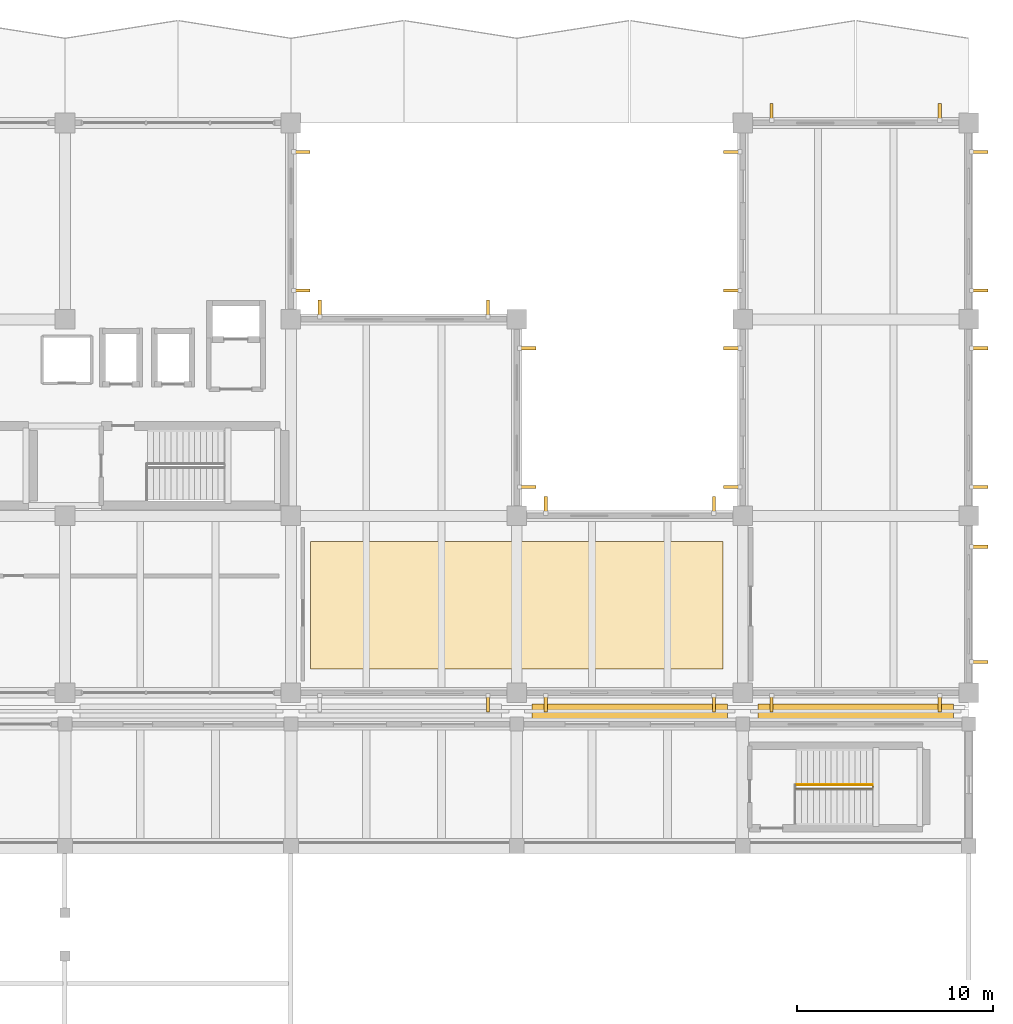
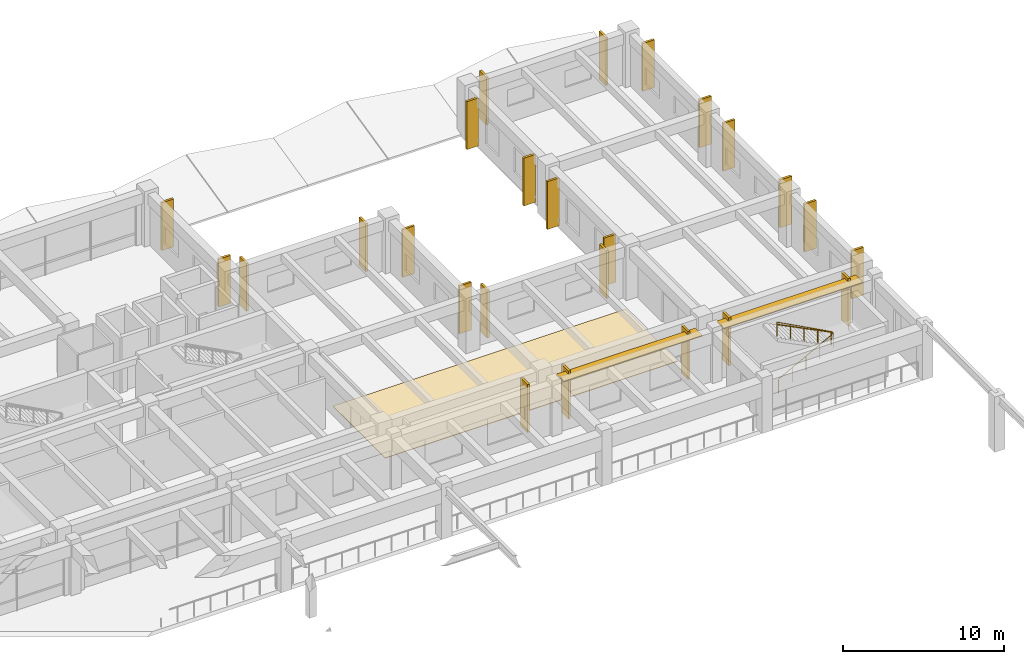
# One storey, part 97 of 98: 27 shading devices, 2 railings, 1 covering.
"""IFC4 building model written with IfcOpenShell, lengths in metres."""

from ifc_helpers import new_model, si_unit, direction, frame, origin, origin_2d, place, context, subcontext, project, spatial, polyline, rectangle, circle, outline, extrude, material, layer, layer_set, type_object, element, save


model = new_model("IFC4")

# Units and contexts
model_context = context("Model", 3, precision=1e-05, world=origin(), true_north=direction((0.0, 1.0)))
body_context = subcontext(model_context, "Body", "Model", "MODEL_VIEW")
ifc_project = project(units=[si_unit("LENGTHUNIT", "METRE"), si_unit("AREAUNIT", "SQUARE_METRE"), si_unit("VOLUMEUNIT", "CUBIC_METRE"), si_unit("PLANEANGLEUNIT", "RADIAN"), si_unit("MASSUNIT", "GRAM", prefix="KILO")], contexts=[model_context])

# Site, building, storey
site_placement = place(None, origin())
site = spatial("IfcSite", under=ifc_project, at=site_placement, CompositionType="ELEMENT")
building_placement = place(site_placement, origin())
building = spatial("IfcBuilding", under=site, at=building_placement, Name="Ologun Quay Terminus", CompositionType="ELEMENT")
storey_placement = place(building_placement, frame((0.0, 0.0, 4.199951171875)))
storey = spatial("IfcBuildingStorey", under=building, at=storey_placement, Name="L01", CompositionType="ELEMENT", Elevation=4.199951171875)

# Covering
ifc_material_1 = material(Name="Steel S355", Category="steel")
ifc_layer_1 = layer(ifc_material_1, 0.044921875)
ifc_layer_set_1 = layer_set([ifc_layer_1], Name="Steel S355")
covering_type = type_object("IfcCoveringType", Name="Anti-Static Raised Access Control Floor 45", PredefinedType="FLOORING", material=ifc_layer_set_1)
covering_placement = place(storey_placement, origin())
element("IfcCovering", 1, at=covering_placement, inside=storey, type_object=covering_type, Name="CV-FL3 Interior Flooring 6", PredefinedType="FLOORING", context=body_context, shape_type="SweptSolid", body=[
    extrude(outline(polyline([(150.5, 87.0), (171.5, 87.0), (171.5, 93.5), (150.5, 93.5), (150.5, 87.0)])), origin(), (0.0, 0.0, 1.0), 0.045166015625),
])

# Shading devices
ifc_material_2 = material(Name="Aluminium 6063-T6", Category="aluminium")
ifc_layer_2 = layer(ifc_material_2, 0.080078125)
ifc_layer_set_2 = layer_set([ifc_layer_2], Name="Aluminium 6063-T6")
shading_device_type_1 = type_object("IfcShadingDeviceType", Name="Horizontal Extruded Aluminium Sun Louvre 900", PredefinedType="JALOUSIE", material=ifc_layer_set_2)
for number, where, z_axis, x_axis, name in (
    (2, (166.75, 84.780029296875, 3.4599609375), (0.0, 0.0, 1.0), (1.0, 0.0, 0.0), "SD-01 Sun-Hood WEW-NGW-L01-15"),
    (3, (178.25, 84.780029296875, 3.4599609375), (0.0, 0.0, 1.0), (1.0, 0.0, 0.0), "SD-01 Sun-Hood WEW-NGW-L01-16"),
):
    element("IfcShadingDevice", number, at=place(storey_placement, frame(where, z_axis=z_axis, x_axis=x_axis)), inside=storey, type_object=shading_device_type_1, Name=name, PredefinedType="JALOUSIE", context=body_context, shape_type="SweptSolid", body=[
        extrude(rectangle(XDim=9.9599609375, YDim=0.89990234375, at=origin_2d()), origin(), (0.0, 0.0, 1.0), 0.080078125),
    ])
ifc_material_3 = material(Name="Concrete C40/50", Category="concrete")
ifc_layer_3 = layer(ifc_material_3, 0.159912109375)
ifc_layer_set_3 = layer_set([ifc_layer_3], Name="Concrete C40/50")
shading_device_type_2 = type_object("IfcShadingDeviceType", Name="Operations Angled Precast Solar Fin 850x160", PredefinedType="USERDEFINED", material=ifc_layer_set_3)
for number, where, z_axis, x_axis, name in (
    (4, (159.530029296875, 85.2451171875, 0.150146484375), (0.0, 0.0, 1.0), (1.0, 0.0, 0.0), "SD-05 Vertical Solar Fin WEW-EW-L01-4-2"),
    (5, (162.469970703125, 85.2451171875, 0.150146484375), (0.0, 0.0, 1.0), (1.0, 0.0, 0.0), "SD-05 Vertical Solar Fin WEW-EW-L01-5-1"),
    (6, (171.030029296875, 85.2451171875, 0.150146484375), (0.0, 0.0, 1.0), (1.0, 0.0, 0.0), "SD-05 Vertical Solar Fin WEW-EW-L01-5-2"),
    (7, (173.969970703125, 85.2451171875, 0.150146484375), (0.0, 0.0, 1.0), (1.0, 0.0, 0.0), "SD-05 Vertical Solar Fin WEW-EW-L01-6-1"),
    (8, (182.530029296875, 85.2451171875, 0.150146484375), (0.0, 0.0, 1.0), (1.0, 0.0, 0.0), "SD-05 Vertical Solar Fin WEW-EW-L01-6-2"),
):
    element("IfcShadingDevice", number, at=place(storey_placement, frame(where, z_axis=z_axis, x_axis=x_axis)), inside=storey, type_object=shading_device_type_2, Name=name, ObjectType="SOLAR FIN", PredefinedType="USERDEFINED", context=body_context, shape_type="SweptSolid", body=[
        extrude(rectangle(XDim=0.159912109375, YDim=0.85009765625, at=origin_2d()), origin(), (0.0, 0.0, 1.0), 3.6298828125),
    ])
for number, where, z_axis, x_axis, name in (
    (9, (184.554931640625, 87.3701171875, 0.150146484375), (0.0, 0.0, 1.0), (1.0, 0.0, 0.0), "SD-05 Vertical Solar Fin WEW-EW-L01-7-1"),
    (10, (184.554931640625, 93.22998046875, 0.150146484375), (0.0, 0.0, 1.0), (1.0, 0.0, 0.0), "SD-05 Vertical Solar Fin WEW-EW-L01-7-2"),
    (11, (184.554931640625, 96.27001953125, 0.150146484375), (0.0, 0.0, 1.0), (1.0, 0.0, 0.0), "SD-05 Vertical Solar Fin WEW-EW-L01-8-1"),
    (12, (184.554931640625, 103.330078125, 0.150146484375), (0.0, 0.0, 1.0), (1.0, 0.0, 0.0), "SD-05 Vertical Solar Fin WEW-EW-L01-8-2"),
    (13, (184.554931640625, 106.27001953125, 0.150146484375), (0.0, 0.0, 1.0), (1.0, 0.0, 0.0), "SD-05 Vertical Solar Fin WEW-EW-L01-9-1"),
    (14, (184.554931640625, 113.330078125, 0.150146484375), (0.0, 0.0, 1.0), (1.0, 0.0, 0.0), "SD-05 Vertical Solar Fin WEW-EW-L01-9-2"),
):
    element("IfcShadingDevice", number, at=place(storey_placement, frame(where, z_axis=z_axis, x_axis=x_axis)), inside=storey, type_object=shading_device_type_2, Name=name, ObjectType="SOLAR FIN", PredefinedType="USERDEFINED", context=body_context, shape_type="SweptSolid", body=[
        extrude(rectangle(XDim=0.85009765625, YDim=0.159912109375, at=origin_2d()), origin(), (0.0, 0.0, 1.0), 3.6298828125),
    ])
for number, where, z_axis, x_axis, name in (
    (15, (173.969970703125, 115.35498046875, 0.150146484375), (0.0, 0.0, 1.0), (1.0, 0.0, 0.0), "SD-05 Vertical Solar Fin WEW-EW-L01-10-1"),
    (16, (182.530029296875, 115.35498046875, 0.150146484375), (0.0, 0.0, 1.0), (1.0, 0.0, 0.0), "SD-05 Vertical Solar Fin WEW-EW-L01-10-2"),
):
    element("IfcShadingDevice", number, at=place(storey_placement, frame(where, z_axis=z_axis, x_axis=x_axis)), inside=storey, type_object=shading_device_type_2, Name=name, ObjectType="SOLAR FIN", PredefinedType="USERDEFINED", context=body_context, shape_type="SweptSolid", body=[
        extrude(rectangle(XDim=0.159912109375, YDim=0.85009765625, at=origin_2d()), origin(), (0.0, 0.0, 1.0), 3.6298828125),
    ])
for number, where, z_axis, x_axis, name in (
    (17, (171.945068359375, 96.27001953125, 0.150146484375), (0.0, 0.0, 1.0), (1.0, 0.0, 0.0), "SD-05 Vertical Solar Fin WEW-EW-L01-11-1"),
    (18, (171.945068359375, 103.330078125, 0.150146484375), (0.0, 0.0, 1.0), (1.0, 0.0, 0.0), "SD-05 Vertical Solar Fin WEW-EW-L01-11-2"),
    (19, (171.945068359375, 106.27001953125, 0.150146484375), (0.0, 0.0, 1.0), (1.0, 0.0, 0.0), "SD-05 Vertical Solar Fin WEW-EW-L01-12-1"),
    (20, (171.945068359375, 113.330078125, 0.150146484375), (0.0, 0.0, 1.0), (1.0, 0.0, 0.0), "SD-05 Vertical Solar Fin WEW-EW-L01-12-2"),
):
    element("IfcShadingDevice", number, at=place(storey_placement, frame(where, z_axis=z_axis, x_axis=x_axis)), inside=storey, type_object=shading_device_type_2, Name=name, ObjectType="SOLAR FIN", PredefinedType="USERDEFINED", context=body_context, shape_type="SweptSolid", body=[
        extrude(rectangle(XDim=0.85009765625, YDim=0.159912109375, at=origin_2d()), origin(), (0.0, 0.0, 1.0), 3.6298828125),
    ])
for number, where, z_axis, x_axis, name in (
    (21, (162.469970703125, 95.35498046875, 0.150146484375), (0.0, 0.0, 1.0), (1.0, 0.0, 0.0), "SD-05 Vertical Solar Fin WEW-EW-L01-13-1"),
    (22, (171.030029296875, 95.35498046875, 0.150146484375), (0.0, 0.0, 1.0), (1.0, 0.0, 0.0), "SD-05 Vertical Solar Fin WEW-EW-L01-13-2"),
):
    element("IfcShadingDevice", number, at=place(storey_placement, frame(where, z_axis=z_axis, x_axis=x_axis)), inside=storey, type_object=shading_device_type_2, Name=name, ObjectType="SOLAR FIN", PredefinedType="USERDEFINED", context=body_context, shape_type="SweptSolid", body=[
        extrude(rectangle(XDim=0.159912109375, YDim=0.85009765625, at=origin_2d()), origin(), (0.0, 0.0, 1.0), 3.6298828125),
    ])
for number, where, z_axis, x_axis, name in (
    (23, (161.554931640625, 96.27001953125, 0.150146484375), (0.0, 0.0, 1.0), (1.0, 0.0, 0.0), "SD-05 Vertical Solar Fin WEW-EW-L01-14-1"),
    (24, (161.554931640625, 103.330078125, 0.150146484375), (0.0, 0.0, 1.0), (1.0, 0.0, 0.0), "SD-05 Vertical Solar Fin WEW-EW-L01-14-2"),
):
    element("IfcShadingDevice", number, at=place(storey_placement, frame(where, z_axis=z_axis, x_axis=x_axis)), inside=storey, type_object=shading_device_type_2, Name=name, ObjectType="SOLAR FIN", PredefinedType="USERDEFINED", context=body_context, shape_type="SweptSolid", body=[
        extrude(rectangle(XDim=0.85009765625, YDim=0.159912109375, at=origin_2d()), origin(), (0.0, 0.0, 1.0), 3.6298828125),
    ])
for number, where, z_axis, x_axis, name in (
    (25, (150.969970703125, 105.35498046875, 0.150146484375), (0.0, 0.0, 1.0), (1.0, 0.0, 0.0), "SD-05 Vertical Solar Fin WEW-EW-L01-15-1"),
    (26, (159.530029296875, 105.35498046875, 0.150146484375), (0.0, 0.0, 1.0), (1.0, 0.0, 0.0), "SD-05 Vertical Solar Fin WEW-EW-L01-15-2"),
):
    element("IfcShadingDevice", number, at=place(storey_placement, frame(where, z_axis=z_axis, x_axis=x_axis)), inside=storey, type_object=shading_device_type_2, Name=name, ObjectType="SOLAR FIN", PredefinedType="USERDEFINED", context=body_context, shape_type="SweptSolid", body=[
        extrude(rectangle(XDim=0.159912109375, YDim=0.85009765625, at=origin_2d()), origin(), (0.0, 0.0, 1.0), 3.6298828125),
    ])
for number, where, z_axis, x_axis, name in (
    (27, (150.054931640625, 106.27001953125, 0.150146484375), (0.0, 0.0, 1.0), (1.0, 0.0, 0.0), "SD-05 Vertical Solar Fin WEW-EW-L01-16-1"),
    (28, (150.054931640625, 113.330078125, 0.150146484375), (0.0, 0.0, 1.0), (1.0, 0.0, 0.0), "SD-05 Vertical Solar Fin WEW-EW-L01-16-2"),
):
    element("IfcShadingDevice", number, at=place(storey_placement, frame(where, z_axis=z_axis, x_axis=x_axis)), inside=storey, type_object=shading_device_type_2, Name=name, ObjectType="SOLAR FIN", PredefinedType="USERDEFINED", context=body_context, shape_type="SweptSolid", body=[
        extrude(rectangle(XDim=0.85009765625, YDim=0.159912109375, at=origin_2d()), origin(), (0.0, 0.0, 1.0), 3.6298828125),
    ])

# Railings
ifc_material_4 = material(Name="Steel S355", Category="steel")
railing_type_1 = type_object("IfcRailingType", Name="Stair & Landing Steel Guardrail 1100", PredefinedType="GUARDRAIL", material=ifc_material_4)
railing_1_placement = place(storey_placement, frame((175.199951171875, 80.89990234375, 0.0)))
element("IfcRailing", 29, at=railing_1_placement, inside=storey, type_object=railing_type_1, Name="GR-ST Stair Inner Well Guard ST-NG2 L01", PredefinedType="GUARDRAIL", context=body_context, shape_type="SweptSolid", body=[
    extrude(circle(Radius=0.02392578125, at=origin_2d()), frame((0.0, 0.0, 1.076171875), z_axis=(0.881967403671, 0.0, 0.471310406062), x_axis=(0.0, 1.0, 0.0)), (0.0, 0.0, 1.0), 4.455810546875),
    extrude(circle(Radius=0.02392578125, at=origin_2d()), frame((3.929931640625, 0.0, 3.17626953125), z_axis=(0.0, 1.0, 0.0), x_axis=(-1.0, 0.0, 0.0)), (0.0, 0.0, 1.0), 0.2001953125),
    extrude(circle(Radius=0.02392578125, at=origin_2d()), frame((3.929931640625, 0.2001953125, 3.17626953125), z_axis=(-0.881990178689, 0.0, 0.471267784488), x_axis=(0.0, -1.0, 0.0)), (0.0, 0.0, 1.0), 4.455810546875),
    extrude(circle(Radius=0.02099609375, at=origin_2d()), origin(), (0.0, 0.0, 1.0), 1.052001953125),
    extrude(circle(Radius=0.02099609375, at=origin_2d()), frame((0.982421875, 0.0, 0.52490234375)), (0.0, 0.0, 1.0), 1.052001953125),
    extrude(circle(Radius=0.02099609375, at=origin_2d()), frame((1.96484375, 0.0, 1.050048828125)), (0.0, 0.0, 1.0), 1.052001953125),
    extrude(circle(Radius=0.02099609375, at=origin_2d()), frame((2.947509765625, 0.0, 1.5751953125)), (0.0, 0.0, 1.0), 1.052001953125),
    extrude(circle(Radius=0.02099609375, at=origin_2d()), frame((3.929931640625, 0.0, 2.10009765625)), (0.0, 0.0, 1.0), 1.052001953125),
    extrude(circle(Radius=0.02099609375, at=origin_2d()), frame((3.929931640625, 0.2001953125, 2.10009765625)), (0.0, 0.0, 1.0), 1.052001953125),
    extrude(circle(Radius=0.02099609375, at=origin_2d()), frame((2.947509765625, 0.2001953125, 2.625)), (0.0, 0.0, 1.0), 1.052001953125),
    extrude(circle(Radius=0.02099609375, at=origin_2d()), frame((1.96484375, 0.2001953125, 3.14990234375)), (0.0, 0.0, 1.0), 1.052001953125),
    extrude(circle(Radius=0.02099609375, at=origin_2d()), frame((0.982421875, 0.2001953125, 3.675048828125)), (0.0, 0.0, 1.0), 1.052001953125),
    extrude(circle(Radius=0.02099609375, at=origin_2d()), frame((0.0, 0.2001953125, 4.199951171875)), (0.0, 0.0, 1.0), 1.052001953125),
])
ifc_material_5 = material(Name="Steel S355", Category="steel")
railing_type_2 = type_object("IfcRailingType", Name="Stair Stainless Tubular Handrail 920", PredefinedType="HANDRAIL", material=ifc_material_5)
railing_2_placement = place(storey_placement, frame((179.10009765625, 81.110107421875, 2.25)))
element("IfcRailing", 30, at=railing_2_placement, inside=storey, type_object=railing_type_2, Name="HR-ST Handrail ST-NG2-F2 L01", PredefinedType="HANDRAIL", context=body_context, shape_type="SweptSolid", body=[
    extrude(circle(Radius=0.02392578125, at=origin_2d()), frame((0.0, 0.0, 0.89599609375), z_axis=(-0.894438388696, 0.0, 0.447191199406), x_axis=(0.0, -1.0, 0.0)), (0.0, 0.0, 1.0), 4.3603515625),
    extrude(circle(Radius=0.02099609375, at=origin_2d()), origin(), (0.0, 0.0, 1.0), 0.871826171875),
    extrude(circle(Radius=0.02099609375, at=origin_2d()), frame((-0.97509765625, 0.0, 0.487548828125)), (0.0, 0.0, 1.0), 0.871826171875),
    extrude(circle(Radius=0.02099609375, at=origin_2d()), frame((-1.9501953125, 0.0, 0.97509765625)), (0.0, 0.0, 1.0), 0.871826171875),
    extrude(circle(Radius=0.02099609375, at=origin_2d()), frame((-2.925048828125, 0.0, 1.46240234375)), (0.0, 0.0, 1.0), 0.871826171875),
    extrude(circle(Radius=0.02099609375, at=origin_2d()), frame((-3.900146484375, 0.0, 1.949951171875)), (0.0, 0.0, 1.0), 0.871826171875),
])

save(model, "model.ifc")
